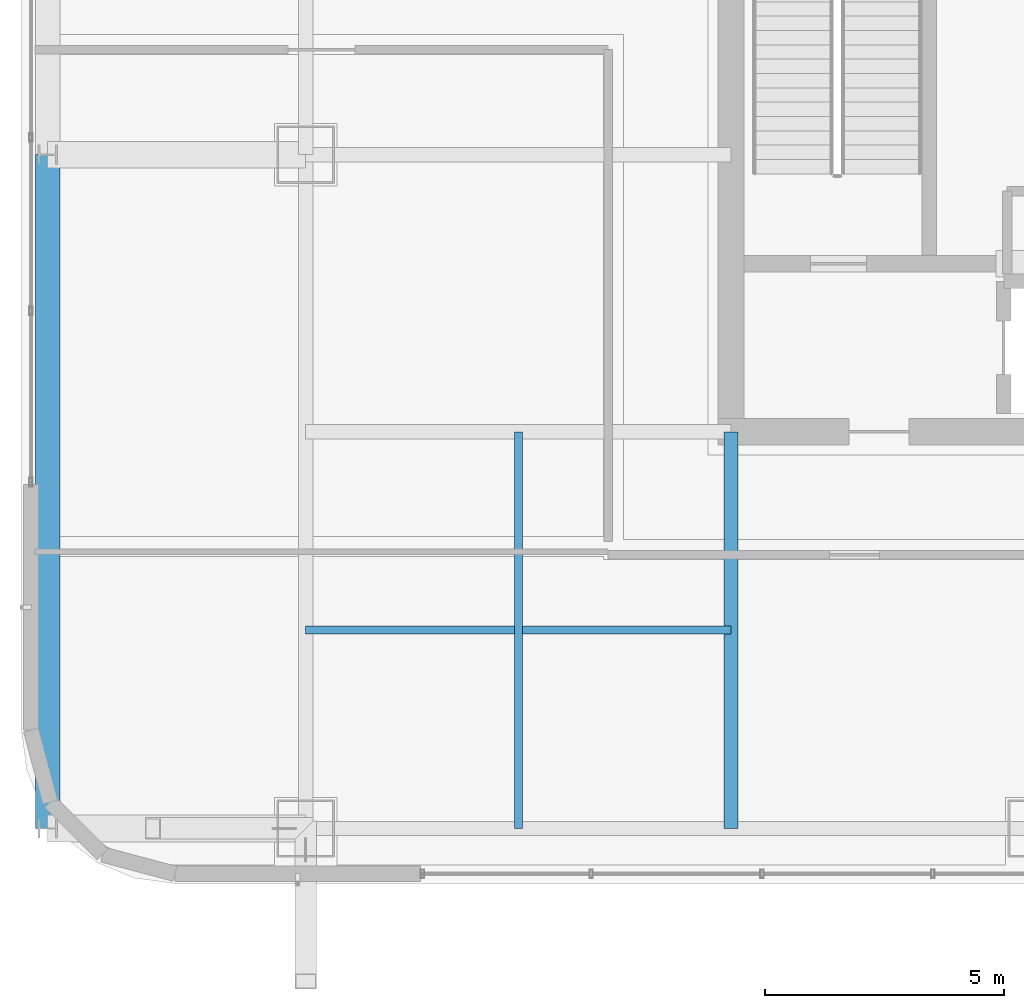
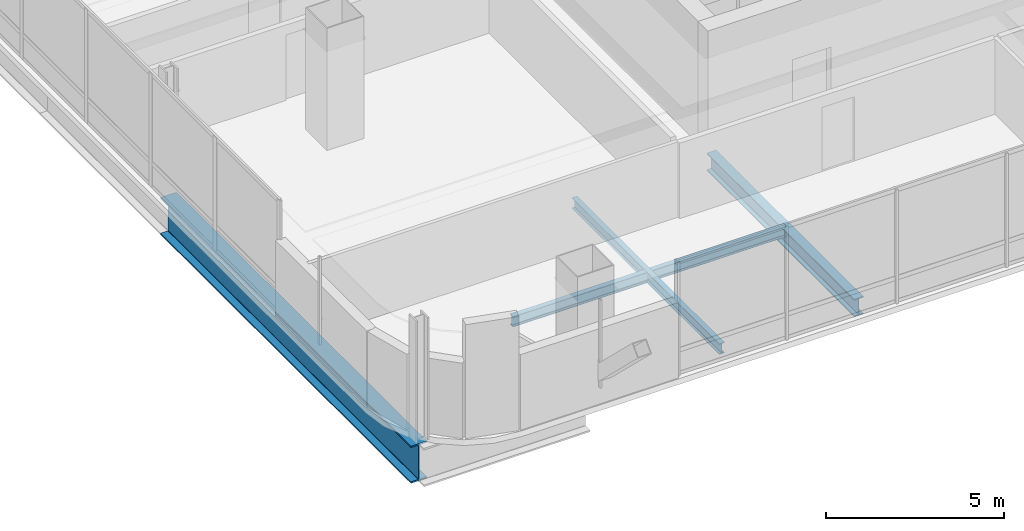
# One storey, part 3 of 51: 4 beams.
"""IFC4 building model written with IfcOpenShell, lengths in metres."""

from ifc_helpers import new_model, si_unit, direction, frame, origin, origin_2d, place, context, subcontext, project, spatial, i_section, extrude, material, material_profile, profile_set, type_object, element, save


model = new_model("IFC4")

# Units and contexts
model_context = context("Model", 3, precision=1e-05, world=origin(), true_north=direction((0.0, 1.0)))
body_context = subcontext(model_context, "Body", "Model", "MODEL_VIEW")
ifc_project = project(units=[si_unit("LENGTHUNIT", "METRE"), si_unit("AREAUNIT", "SQUARE_METRE"), si_unit("VOLUMEUNIT", "CUBIC_METRE"), si_unit("PLANEANGLEUNIT", "RADIAN"), si_unit("MASSUNIT", "GRAM", prefix="KILO")], contexts=[model_context])

# Site, building, storey
site_placement = place(None, origin())
site = spatial("IfcSite", under=ifc_project, at=site_placement, CompositionType="ELEMENT")
building_placement = place(site_placement, origin())
building = spatial("IfcBuilding", under=site, at=building_placement, Name="Punatoya Terracotta Tower", CompositionType="ELEMENT")
storey_placement = place(building_placement, frame((0.0, 0.0, 313.199951171875)))
storey = spatial("IfcBuildingStorey", under=building, at=storey_placement, Name="L74", CompositionType="ELEMENT", Elevation=313.199951171875)

# Beams
ifc_material_1 = material(Name="Steel S355", Category="steel")
ifc_material_profile_1 = material_profile(ifc_material_1, i_section(OverallWidth=0.300048828125, OverallDepth=0.60009765625, WebThickness=0.015380859375, FlangeThickness=0.030029296875, FilletRadius=0.01806640625, at=origin_2d()))
ifc_profile_set_1 = profile_set([ifc_material_profile_1], Name="Steel S355")
beam_type_1 = type_object("IfcBeamType", Name="BM-PRI-600", PredefinedType="BEAM", material=ifc_profile_set_1)
beam_1_placement = place(storey_placement, frame((-10.199951171875, -17.5, -0.5), z_axis=(0.0, 1.0, 0.0), x_axis=(-1.0, 0.0, 0.0)))
element("IfcBeam", 1, at=beam_1_placement, inside=storey, type_object=beam_type_1, Name="BM-L74-PR-S1", PredefinedType="BEAM", context=body_context, shape_type="SweptSolid", body=[
    extrude(i_section(OverallWidth=0.300048828125, OverallDepth=0.60009765625, WebThickness=0.015380859375, FlangeThickness=0.030029296875, FilletRadius=0.01806640625, at=origin_2d()), origin(), (0.0, 0.0, 1.0), 8.300048828125),
])
ifc_material_profile_2 = material_profile(ifc_material_1, i_section(OverallWidth=0.169921875, OverallDepth=0.360107421875, WebThickness=0.008056640625, FlangeThickness=0.0126953125, FilletRadius=0.01806640625, at=origin_2d()))
ifc_profile_set_2 = profile_set([ifc_material_profile_2], Name="Steel S355")
beam_type_2 = type_object("IfcBeamType", Name="BM-SEC-360", PredefinedType="JOIST", material=ifc_profile_set_2)
beam_2_placement = place(storey_placement, frame((-19.10009765625, -13.35009765625, -0.3798828125), z_axis=(1.0, 0.0, 0.0), x_axis=(0.0, 1.0, 0.0)))
element("IfcBeam", 2, at=beam_2_placement, inside=storey, type_object=beam_type_2, Name="BM-L74-SJS-1", PredefinedType="JOIST", context=body_context, shape_type="SweptSolid", body=[
    extrude(i_section(OverallWidth=0.169921875, OverallDepth=0.360107421875, WebThickness=0.008056640625, FlangeThickness=0.0126953125, FilletRadius=0.01806640625, at=origin_2d()), origin(), (0.0, 0.0, 1.0), 8.900146484375),
])
beam_3_placement = place(storey_placement, frame((-14.64990234375, -17.5, -0.3798828125), z_axis=(0.0, 1.0, 0.0), x_axis=(-1.0, 0.0, 0.0)))
element("IfcBeam", 3, at=beam_3_placement, inside=storey, type_object=beam_type_2, Name="BM-L74-SJW-1", PredefinedType="JOIST", context=body_context, shape_type="SweptSolid", body=[
    extrude(i_section(OverallWidth=0.169921875, OverallDepth=0.360107421875, WebThickness=0.008056640625, FlangeThickness=0.0126953125, FilletRadius=0.01806640625, at=origin_2d()), origin(), (0.0, 0.0, 1.0), 8.300048828125),
])
ifc_material_2 = material(Name="Steel S460", Category="steel")
ifc_material_profile_3 = material_profile(ifc_material_2, i_section(OverallWidth=0.52001953125, OverallDepth=1.280029296875, WebThickness=0.031982421875, FlangeThickness=0.050048828125, FilletRadius=0.01806640625, at=origin_2d()))
ifc_profile_set_3 = profile_set([ifc_material_profile_3], Name="Steel S460")
beam_type_3 = type_object("IfcBeamType", Name="BM-TG-NCK", PredefinedType="BEAM", material=ifc_profile_set_3)
beam_4_placement = place(storey_placement, frame((-24.5, -17.5, -0.83984375), z_axis=(0.0, 1.0, 0.0), x_axis=(-1.0, 0.0, 0.0)))
element("IfcBeam", 4, at=beam_4_placement, inside=storey, type_object=beam_type_3, Name="BM-L74-PER-W1", PredefinedType="BEAM", context=body_context, shape_type="SweptSolid", body=[
    extrude(i_section(OverallWidth=0.52001953125, OverallDepth=1.280029296875, WebThickness=0.031982421875, FlangeThickness=0.050048828125, FilletRadius=0.01806640625, at=origin_2d()), origin(), (0.0, 0.0, 1.0), 14.10009765625),
])

save(model, "model.ifc")
